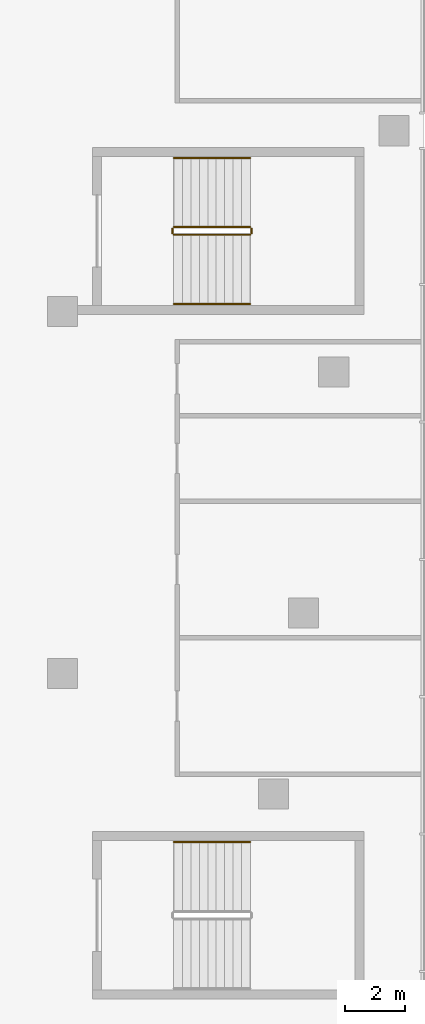
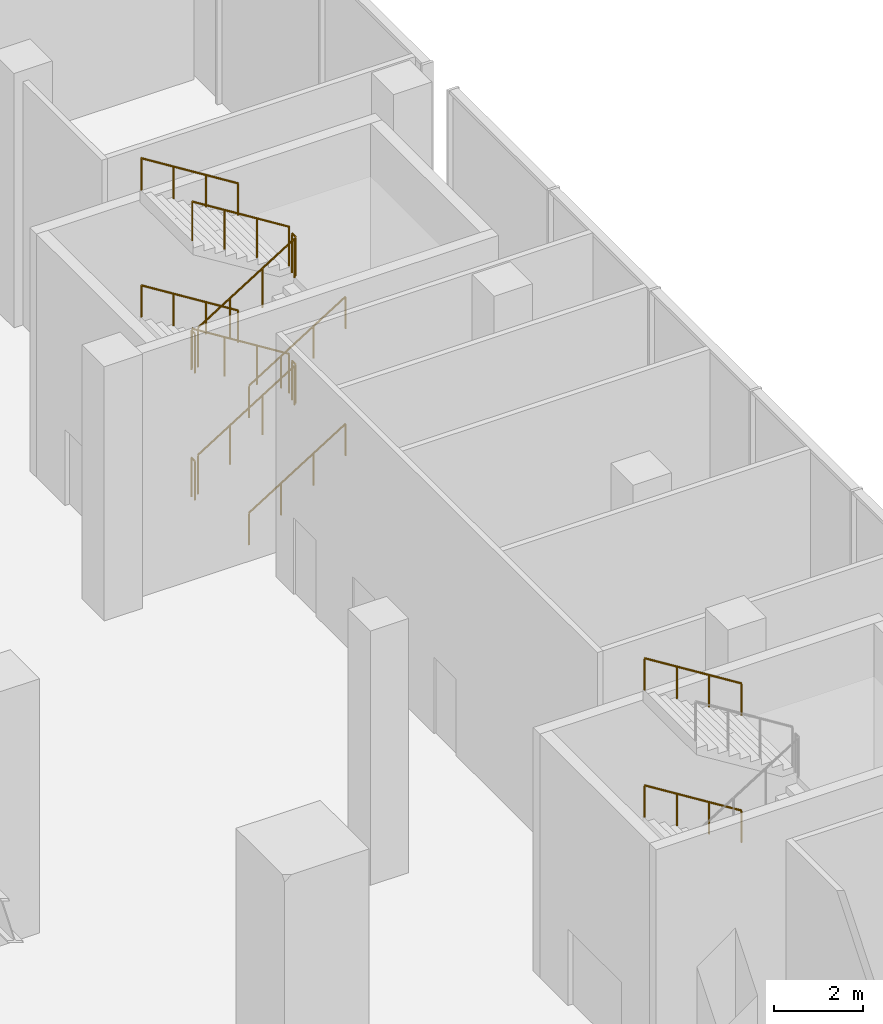
# One storey, part 39 of 41: 14 railings.
"""IFC4 building model written with IfcOpenShell, lengths in metres."""

from ifc_helpers import new_model, si_unit, direction, frame, origin, origin_2d, place, context, subcontext, project, spatial, circle, extrude, material, type_object, element, save


model = new_model("IFC4")

# Units and contexts
model_context = context("Model", 3, precision=1e-05, world=origin(), true_north=direction((0.0, 1.0)))
body_context = subcontext(model_context, "Body", "Model", "MODEL_VIEW")
ifc_project = project(units=[si_unit("LENGTHUNIT", "METRE"), si_unit("AREAUNIT", "SQUARE_METRE"), si_unit("VOLUMEUNIT", "CUBIC_METRE"), si_unit("PLANEANGLEUNIT", "RADIAN"), si_unit("MASSUNIT", "GRAM", prefix="KILO")], contexts=[model_context])

# Site, building, storey
site_placement = place(None, origin())
site = spatial("IfcSite", under=ifc_project, at=site_placement, CompositionType="ELEMENT")
building_placement = place(site_placement, origin())
building = spatial("IfcBuilding", under=site, at=building_placement, Name="Wharfspan Tower", CompositionType="ELEMENT")
storey_placement = place(building_placement, frame((0.0, 0.0, 8.0)))
storey = spatial("IfcBuildingStorey", under=building, at=storey_placement, Name="L01", CompositionType="ELEMENT", Elevation=8.0)

# Railings
ifc_material = material(Name="Steel S355J2", Category="steel")
railing_type_1 = type_object("IfcRailingType", Name="Podium guard 1100", PredefinedType="GUARDRAIL", material=ifc_material)
railing_1_placement = place(storey_placement, frame((99.699951, 22.550049, 0.175049)))
element("IfcRailing", 1, at=railing_1_placement, inside=storey, type_object=railing_type_1, Name="L01 AS4 stair guard 1", PredefinedType="GUARDRAIL", context=body_context, shape_type="SweptSolid", body=[
    extrude(circle(Radius=0.023926, at=origin_2d()), frame((0.0, 0.0, 1.076172), z_axis=(0.848008, 0.0, 0.529984), x_axis=(0.0, 1.0, 0.0)), (0.0, 0.0, 1.0), 2.97168),
    extrude(circle(Radius=0.020996, at=origin_2d()), origin(), (0.0, 0.0, 1.0), 1.052002),
    extrude(circle(Radius=0.020996, at=origin_2d()), frame((0.840088, 0.0, 0.524902)), (0.0, 0.0, 1.0), 1.052002),
    extrude(circle(Radius=0.020996, at=origin_2d()), frame((1.679932, 0.0, 1.050049)), (0.0, 0.0, 1.0), 1.052002),
    extrude(circle(Radius=0.020996, at=origin_2d()), frame((2.52002, 0.0, 1.574951)), (0.0, 0.0, 1.0), 1.052002),
])
railing_2_placement = place(storey_placement, frame((102.27002, 22.600098, 1.75)))
element("IfcRailing", 2, at=railing_2_placement, inside=storey, type_object=railing_type_1, Name="L01 AS4 stair guard 2", PredefinedType="GUARDRAIL", context=body_context, shape_type="SweptSolid", body=[
    extrude(circle(Radius=0.023926, at=origin_2d()), frame((0.0, 0.0, 1.076172), z_axis=(0.0, 1.0, 0.0), x_axis=(-1.0, 0.0, 0.0)), (0.0, 0.0, 1.0), 0.149902),
    extrude(circle(Radius=0.020996, at=origin_2d()), origin(), (0.0, 0.0, 1.0), 1.052002),
    extrude(circle(Radius=0.020996, at=origin_2d()), frame((0.0, 0.149902, 0.0)), (0.0, 0.0, 1.0), 1.052002),
])
railing_3_placement = place(storey_placement, frame((102.219971, 22.800049, 1.925049)))
element("IfcRailing", 3, at=railing_3_placement, inside=storey, type_object=railing_type_1, Name="L01 AS4 stair guard 3", PredefinedType="GUARDRAIL", context=body_context, shape_type="SweptSolid", body=[
    extrude(circle(Radius=0.023926, at=origin_2d()), frame((0.0, 0.0, 1.076172), z_axis=(-0.848008, 0.0, 0.529984), x_axis=(0.0, -1.0, 0.0)), (0.0, 0.0, 1.0), 2.97168),
    extrude(circle(Radius=0.020996, at=origin_2d()), origin(), (0.0, 0.0, 1.0), 1.052002),
    extrude(circle(Radius=0.020996, at=origin_2d()), frame((-0.840088, 0.0, 0.524902)), (0.0, 0.0, 1.0), 1.052002),
    extrude(circle(Radius=0.020996, at=origin_2d()), frame((-1.679932, 0.0, 1.050049)), (0.0, 0.0, 1.0), 1.052002),
    extrude(circle(Radius=0.020996, at=origin_2d()), frame((-2.52002, 0.0, 1.574951)), (0.0, 0.0, 1.0), 1.052002),
])
railing_4_placement = place(storey_placement, frame((99.649902, 22.600098, 3.5)))
element("IfcRailing", 4, at=railing_4_placement, inside=storey, type_object=railing_type_1, Name="L01 AS4 stair guard 4", PredefinedType="GUARDRAIL", context=body_context, shape_type="SweptSolid", body=[
    extrude(circle(Radius=0.023926, at=origin_2d()), frame((0.0, 0.0, 1.076172), z_axis=(0.0, 1.0, 0.0), x_axis=(-1.0, 0.0, 0.0)), (0.0, 0.0, 1.0), 0.149902),
    extrude(circle(Radius=0.020996, at=origin_2d()), origin(), (0.0, 0.0, 1.0), 1.052002),
    extrude(circle(Radius=0.020996, at=origin_2d()), frame((0.0, 0.149902, 0.0)), (0.0, 0.0, 1.0), 1.052002),
])
railing_5_placement = place(storey_placement, frame((99.699951, 22.550049, 3.675049)))
element("IfcRailing", 5, at=railing_5_placement, inside=storey, type_object=railing_type_1, Name="L01 AS4 stair guard 5", PredefinedType="GUARDRAIL", context=body_context, shape_type="SweptSolid", body=[
    extrude(circle(Radius=0.023926, at=origin_2d()), frame((0.0, 0.0, 1.076172), z_axis=(0.848008, 0.0, 0.529984), x_axis=(0.0, 1.0, 0.0)), (0.0, 0.0, 1.0), 2.97168),
    extrude(circle(Radius=0.020996, at=origin_2d()), origin(), (0.0, 0.0, 1.0), 1.052002),
    extrude(circle(Radius=0.020996, at=origin_2d()), frame((0.840088, 0.0, 0.524902)), (0.0, 0.0, 1.0), 1.052002),
    extrude(circle(Radius=0.020996, at=origin_2d()), frame((1.679932, 0.0, 1.050049)), (0.0, 0.0, 1.0), 1.052002),
    extrude(circle(Radius=0.020996, at=origin_2d()), frame((2.52002, 0.0, 1.574951)), (0.0, 0.0, 1.0), 1.052002),
])
railing_6_placement = place(storey_placement, frame((102.27002, 22.600098, 5.25)))
element("IfcRailing", 6, at=railing_6_placement, inside=storey, type_object=railing_type_1, Name="L01 AS4 stair guard 6", PredefinedType="GUARDRAIL", context=body_context, shape_type="SweptSolid", body=[
    extrude(circle(Radius=0.023926, at=origin_2d()), frame((0.0, 0.0, 1.076172), z_axis=(0.0, 1.0, 0.0), x_axis=(-1.0, 0.0, 0.0)), (0.0, 0.0, 1.0), 0.149902),
    extrude(circle(Radius=0.020996, at=origin_2d()), origin(), (0.0, 0.0, 1.0), 1.052002),
    extrude(circle(Radius=0.020996, at=origin_2d()), frame((0.0, 0.149902, 0.0)), (0.0, 0.0, 1.0), 1.052002),
])
railing_7_placement = place(storey_placement, frame((102.219971, 22.800049, 5.425049)))
element("IfcRailing", 7, at=railing_7_placement, inside=storey, type_object=railing_type_1, Name="L01 AS4 stair guard 7", PredefinedType="GUARDRAIL", context=body_context, shape_type="SweptSolid", body=[
    extrude(circle(Radius=0.023926, at=origin_2d()), frame((0.0, 0.0, 1.076172), z_axis=(-0.848008, 0.0, 0.529984), x_axis=(0.0, -1.0, 0.0)), (0.0, 0.0, 1.0), 2.97168),
    extrude(circle(Radius=0.020996, at=origin_2d()), origin(), (0.0, 0.0, 1.0), 1.052002),
    extrude(circle(Radius=0.020996, at=origin_2d()), frame((-0.840088, 0.0, 0.524902)), (0.0, 0.0, 1.0), 1.052002),
    extrude(circle(Radius=0.020996, at=origin_2d()), frame((-1.679932, 0.0, 1.050049)), (0.0, 0.0, 1.0), 1.052002),
    extrude(circle(Radius=0.020996, at=origin_2d()), frame((-2.52002, 0.0, 1.574951)), (0.0, 0.0, 1.0), 1.052002),
])
railing_8_placement = place(storey_placement, frame((99.649902, 22.600098, 0.0)))
element("IfcRailing", 8, at=railing_8_placement, inside=storey, type_object=railing_type_1, Name="L01 AS4 stair guard 8", PredefinedType="GUARDRAIL", context=body_context, shape_type="SweptSolid", body=[
    extrude(circle(Radius=0.023926, at=origin_2d()), frame((0.0, 0.0, 1.076172), z_axis=(0.0, 1.0, 0.0), x_axis=(-1.0, 0.0, 0.0)), (0.0, 0.0, 1.0), 0.149902),
    extrude(circle(Radius=0.020996, at=origin_2d()), origin(), (0.0, 0.0, 1.0), 1.052002),
    extrude(circle(Radius=0.020996, at=origin_2d()), frame((0.0, 0.149902, 0.0)), (0.0, 0.0, 1.0), 1.052002),
])
railing_type_2 = type_object("IfcRailingType", Name="Podium stair handrail 900", PredefinedType="HANDRAIL", material=ifc_material)
for number, where, name in (
    (9, (102.219971, 2.399902, 1.925049), "L01 AS8 stair handrail 2"),
    (10, (102.219971, 2.399902, 5.425049), "L01 AS8 stair handrail 4"),
):
    element("IfcRailing", number, at=place(storey_placement, frame(where)), inside=storey, type_object=railing_type_2, Name=name, PredefinedType="HANDRAIL", context=body_context, shape_type="SweptSolid", body=[
        extrude(circle(Radius=0.023926, at=origin_2d()), frame((0.0, 0.0, 0.875977), z_axis=(-0.848008, 0.0, 0.529984), x_axis=(0.0, -1.0, 0.0)), (0.0, 0.0, 1.0), 2.97168),
        extrude(circle(Radius=0.020996, at=origin_2d()), origin(), (0.0, 0.0, 1.0), 0.851807),
        extrude(circle(Radius=0.020996, at=origin_2d()), frame((-0.840088, 0.0, 0.524902)), (0.0, 0.0, 1.0), 0.851807),
        extrude(circle(Radius=0.020996, at=origin_2d()), frame((-1.679932, 0.0, 1.050049)), (0.0, 0.0, 1.0), 0.851807),
        extrude(circle(Radius=0.020996, at=origin_2d()), frame((-2.52002, 0.0, 1.574951)), (0.0, 0.0, 1.0), 0.851807),
    ])
railing_9_placement = place(storey_placement, frame((99.699951, 20.25, 0.175049)))
element("IfcRailing", 11, at=railing_9_placement, inside=storey, type_object=railing_type_2, Name="L01 AS4 stair handrail 1", PredefinedType="HANDRAIL", context=body_context, shape_type="SweptSolid", body=[
    extrude(circle(Radius=0.023926, at=origin_2d()), frame((0.0, 0.0, 0.875977), z_axis=(0.848008, 0.0, 0.529984), x_axis=(0.0, 1.0, 0.0)), (0.0, 0.0, 1.0), 2.97168),
    extrude(circle(Radius=0.020996, at=origin_2d()), origin(), (0.0, 0.0, 1.0), 0.851807),
    extrude(circle(Radius=0.020996, at=origin_2d()), frame((0.840088, 0.0, 0.524902)), (0.0, 0.0, 1.0), 0.851807),
    extrude(circle(Radius=0.020996, at=origin_2d()), frame((1.679932, 0.0, 1.050049)), (0.0, 0.0, 1.0), 0.851807),
    extrude(circle(Radius=0.020996, at=origin_2d()), frame((2.52002, 0.0, 1.574951)), (0.0, 0.0, 1.0), 0.851807),
])
railing_10_placement = place(storey_placement, frame((102.219971, 25.100098, 1.925049)))
element("IfcRailing", 12, at=railing_10_placement, inside=storey, type_object=railing_type_2, Name="L01 AS4 stair handrail 2", PredefinedType="HANDRAIL", context=body_context, shape_type="SweptSolid", body=[
    extrude(circle(Radius=0.023926, at=origin_2d()), frame((0.0, 0.0, 0.875977), z_axis=(-0.848008, 0.0, 0.529984), x_axis=(0.0, -1.0, 0.0)), (0.0, 0.0, 1.0), 2.97168),
    extrude(circle(Radius=0.020996, at=origin_2d()), origin(), (0.0, 0.0, 1.0), 0.851807),
    extrude(circle(Radius=0.020996, at=origin_2d()), frame((-0.840088, 0.0, 0.524902)), (0.0, 0.0, 1.0), 0.851807),
    extrude(circle(Radius=0.020996, at=origin_2d()), frame((-1.679932, 0.0, 1.050049)), (0.0, 0.0, 1.0), 0.851807),
    extrude(circle(Radius=0.020996, at=origin_2d()), frame((-2.52002, 0.0, 1.574951)), (0.0, 0.0, 1.0), 0.851807),
])
railing_11_placement = place(storey_placement, frame((99.699951, 20.25, 3.675049)))
element("IfcRailing", 13, at=railing_11_placement, inside=storey, type_object=railing_type_2, Name="L01 AS4 stair handrail 3", PredefinedType="HANDRAIL", context=body_context, shape_type="SweptSolid", body=[
    extrude(circle(Radius=0.023926, at=origin_2d()), frame((0.0, 0.0, 0.875977), z_axis=(0.848008, 0.0, 0.529984), x_axis=(0.0, 1.0, 0.0)), (0.0, 0.0, 1.0), 2.97168),
    extrude(circle(Radius=0.020996, at=origin_2d()), origin(), (0.0, 0.0, 1.0), 0.851807),
    extrude(circle(Radius=0.020996, at=origin_2d()), frame((0.840088, 0.0, 0.524902)), (0.0, 0.0, 1.0), 0.851807),
    extrude(circle(Radius=0.020996, at=origin_2d()), frame((1.679932, 0.0, 1.050049)), (0.0, 0.0, 1.0), 0.851807),
    extrude(circle(Radius=0.020996, at=origin_2d()), frame((2.52002, 0.0, 1.574951)), (0.0, 0.0, 1.0), 0.851807),
])
railing_12_placement = place(storey_placement, frame((102.219971, 25.100098, 5.425049)))
element("IfcRailing", 14, at=railing_12_placement, inside=storey, type_object=railing_type_2, Name="L01 AS4 stair handrail 4", PredefinedType="HANDRAIL", context=body_context, shape_type="SweptSolid", body=[
    extrude(circle(Radius=0.023926, at=origin_2d()), frame((0.0, 0.0, 0.875977), z_axis=(-0.848008, 0.0, 0.529984), x_axis=(0.0, -1.0, 0.0)), (0.0, 0.0, 1.0), 2.97168),
    extrude(circle(Radius=0.020996, at=origin_2d()), origin(), (0.0, 0.0, 1.0), 0.851807),
    extrude(circle(Radius=0.020996, at=origin_2d()), frame((-0.840088, 0.0, 0.524902)), (0.0, 0.0, 1.0), 0.851807),
    extrude(circle(Radius=0.020996, at=origin_2d()), frame((-1.679932, 0.0, 1.050049)), (0.0, 0.0, 1.0), 0.851807),
    extrude(circle(Radius=0.020996, at=origin_2d()), frame((-2.52002, 0.0, 1.574951)), (0.0, 0.0, 1.0), 0.851807),
])

save(model, "model.ifc")
